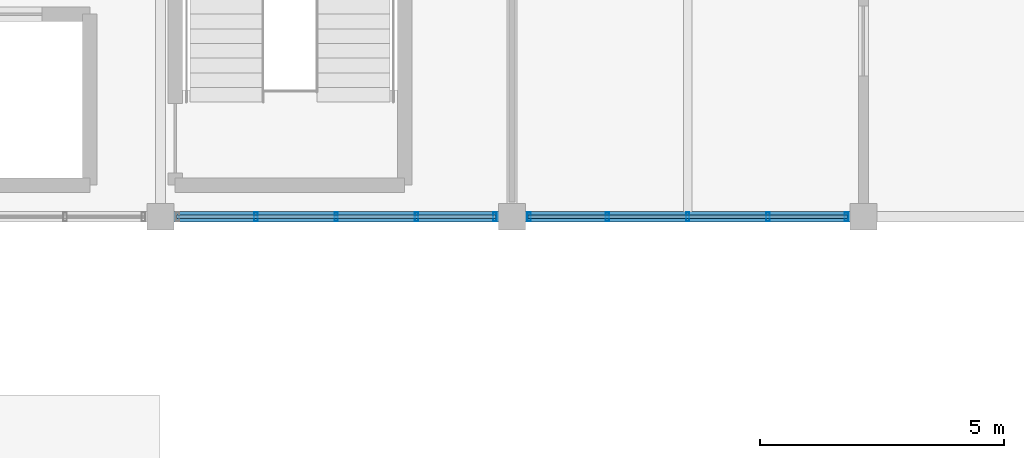
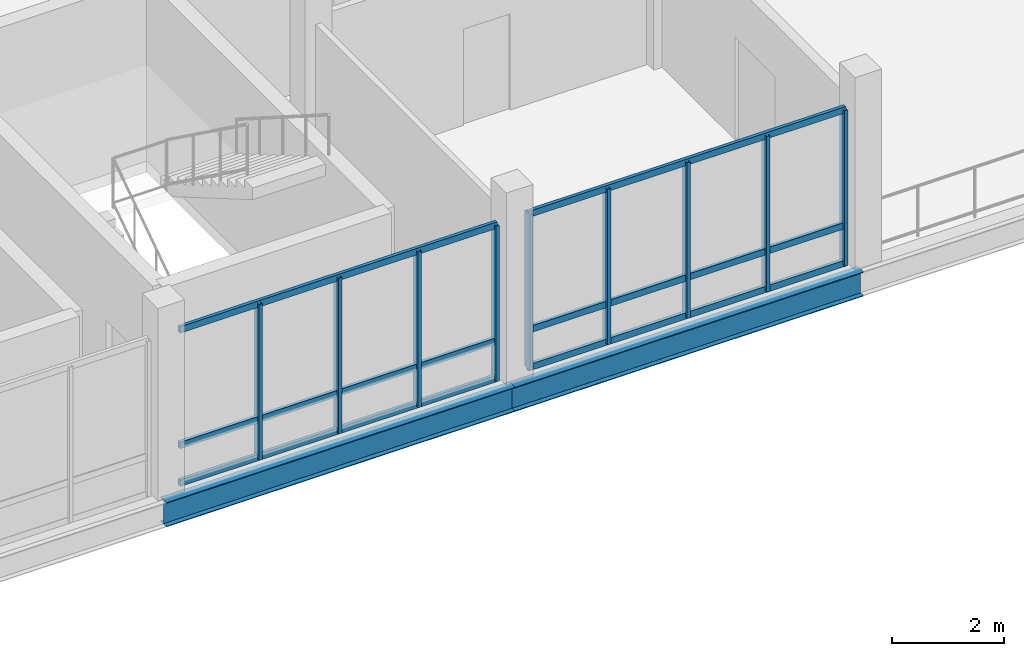
# One storey, part 22 of 47: 15 members, 2 beams, 2 elements without a shape of their own.
"""IFC4 building model written with IfcOpenShell, lengths in metres."""

from ifc_helpers import new_model, si_unit, direction, frame, origin, origin_2d, place, context, subcontext, project, spatial, hollow_rectangle, i_section, extrude, material, material_profile, profile_set, type_object, element, aggregate, save


model = new_model("IFC4")

# Units and contexts
model_context = context("Model", 3, precision=1e-05, world=origin(), true_north=direction((0.0, 1.0)))
body_context = subcontext(model_context, "Body", "Model", "MODEL_VIEW")
ifc_project = project(units=[si_unit("LENGTHUNIT", "METRE"), si_unit("AREAUNIT", "SQUARE_METRE"), si_unit("VOLUMEUNIT", "CUBIC_METRE"), si_unit("PLANEANGLEUNIT", "RADIAN"), si_unit("MASSUNIT", "GRAM", prefix="KILO")], contexts=[model_context])

# Site, building, storey
site_placement = place(None, origin())
site = spatial("IfcSite", under=ifc_project, at=site_placement, CompositionType="ELEMENT")
building_placement = place(site_placement, origin())
building = spatial("IfcBuilding", under=site, at=building_placement, Name="Yarey Park Central Fire Station", CompositionType="ELEMENT")
storey_placement = place(building_placement, frame((0.0, 0.0, 18.0)))
storey = spatial("IfcBuildingStorey", under=building, at=storey_placement, Name="L05", CompositionType="ELEMENT", Elevation=18.0)

# Curtain wall, members
ifc_material_1 = material(Name="Anodized Aluminium Frame", Category="aluminium")
curtain_wall_type = type_object("IfcCurtainWallType", Name="ENV_CW_HQ_L05", PredefinedType="NOTDEFINED", material=ifc_material_1)
curtain_wall_1_placement = place(storey_placement, origin())
curtain_wall_1 = element("IfcCurtainWall", 1, at=curtain_wall_1_placement, inside=storey, type_object=curtain_wall_type, Name="CW_L05_V4_S_4", PredefinedType="NOTDEFINED")
ifc_material_profile_1 = material_profile(ifc_material_1, hollow_rectangle(XDim=0.070068359375, YDim=0.179931640625, WallThickness=0.00390625, at=origin_2d()), Name="ALU 180x70x4")
ifc_profile_set_1 = profile_set([ifc_material_profile_1], Name="Anodized Aluminium Frame")
member_type_1 = type_object("IfcMemberType", Name="ENV_CW_MULLION", PredefinedType="MULLION", material=ifc_profile_set_1)
member_1_placement = place(storey_placement, frame((138.7548828125, 93.60009765625, 0.0), z_axis=(0.0, 0.0, 1.0), x_axis=(1.0, 0.0, 0.0)))
member_1 = element("IfcMember", 2, at=member_1_placement, type_object=member_type_1, Name="CW_L05_V4_S_4_MUL2", PredefinedType="MULLION", context=body_context, shape_type="SweptSolid", body=[
    extrude(hollow_rectangle(XDim=0.070068359375, YDim=0.179931640625, WallThickness=0.00390625, at=origin_2d()), origin(), (0.0, 0.0, 1.0), 3.39990234375),
])
member_2_placement = place(storey_placement, frame((140.39990234375, 93.60009765625, 0.0), z_axis=(0.0, 0.0, 1.0), x_axis=(1.0, 0.0, 0.0)))
member_2 = element("IfcMember", 3, at=member_2_placement, type_object=member_type_1, Name="CW_L05_V4_S_4_MUL3", PredefinedType="MULLION", context=body_context, shape_type="SweptSolid", body=[
    extrude(hollow_rectangle(XDim=0.070068359375, YDim=0.179931640625, WallThickness=0.00390625, at=origin_2d()), origin(), (0.0, 0.0, 1.0), 3.39990234375),
])
member_3_placement = place(storey_placement, frame((142.044921875, 93.60009765625, 0.0), z_axis=(0.0, 0.0, 1.0), x_axis=(1.0, 0.0, 0.0)))
member_3 = element("IfcMember", 4, at=member_3_placement, type_object=member_type_1, Name="CW_L05_V4_S_4_MUL4", PredefinedType="MULLION", context=body_context, shape_type="SweptSolid", body=[
    extrude(hollow_rectangle(XDim=0.070068359375, YDim=0.179931640625, WallThickness=0.00390625, at=origin_2d()), origin(), (0.0, 0.0, 1.0), 3.39990234375),
])
member_4_placement = place(storey_placement, frame((143.64990234375, 93.60009765625, 0.0), z_axis=(0.0, 0.0, 1.0), x_axis=(1.0, 0.0, 0.0)))
member_4 = element("IfcMember", 5, at=member_4_placement, type_object=member_type_1, Name="CW_L05_V4_S_4_MUL5", PredefinedType="MULLION", context=body_context, shape_type="SweptSolid", body=[
    extrude(hollow_rectangle(XDim=0.070068359375, YDim=0.179931640625, WallThickness=0.00390625, at=origin_2d()), origin(), (0.0, 0.0, 1.0), 3.39990234375),
])

curtain_wall_2_placement = place(storey_placement, origin())
curtain_wall_2 = element("IfcCurtainWall", 6, at=curtain_wall_2_placement, inside=storey, type_object=curtain_wall_type, Name="CW_L05_V4_S_5", PredefinedType="NOTDEFINED")
member_5_placement = place(storey_placement, frame((144.35009765625, 93.60009765625, 0.0), z_axis=(0.0, 0.0, 1.0), x_axis=(1.0, 0.0, 0.0)))
member_5 = element("IfcMember", 7, at=member_5_placement, type_object=member_type_1, Name="CW_L05_V4_S_5_MUL1", PredefinedType="MULLION", context=body_context, shape_type="SweptSolid", body=[
    extrude(hollow_rectangle(XDim=0.070068359375, YDim=0.179931640625, WallThickness=0.00390625, at=origin_2d()), origin(), (0.0, 0.0, 1.0), 3.39990234375),
])
member_6_placement = place(storey_placement, frame((145.955078125, 93.60009765625, 0.0), z_axis=(0.0, 0.0, 1.0), x_axis=(1.0, 0.0, 0.0)))
member_6 = element("IfcMember", 8, at=member_6_placement, type_object=member_type_1, Name="CW_L05_V4_S_5_MUL2", PredefinedType="MULLION", context=body_context, shape_type="SweptSolid", body=[
    extrude(hollow_rectangle(XDim=0.070068359375, YDim=0.179931640625, WallThickness=0.00390625, at=origin_2d()), origin(), (0.0, 0.0, 1.0), 3.39990234375),
])
member_7_placement = place(storey_placement, frame((147.60009765625, 93.60009765625, 0.0), z_axis=(0.0, 0.0, 1.0), x_axis=(1.0, 0.0, 0.0)))
member_7 = element("IfcMember", 9, at=member_7_placement, type_object=member_type_1, Name="CW_L05_V4_S_5_MUL3", PredefinedType="MULLION", context=body_context, shape_type="SweptSolid", body=[
    extrude(hollow_rectangle(XDim=0.070068359375, YDim=0.179931640625, WallThickness=0.00390625, at=origin_2d()), origin(), (0.0, 0.0, 1.0), 3.39990234375),
])
member_8_placement = place(storey_placement, frame((149.2451171875, 93.60009765625, 0.0), z_axis=(0.0, 0.0, 1.0), x_axis=(1.0, 0.0, 0.0)))
member_8 = element("IfcMember", 10, at=member_8_placement, type_object=member_type_1, Name="CW_L05_V4_S_5_MUL4", PredefinedType="MULLION", context=body_context, shape_type="SweptSolid", body=[
    extrude(hollow_rectangle(XDim=0.070068359375, YDim=0.179931640625, WallThickness=0.00390625, at=origin_2d()), origin(), (0.0, 0.0, 1.0), 3.39990234375),
])
member_9_placement = place(storey_placement, frame((150.85009765625, 93.60009765625, 0.0), z_axis=(0.0, 0.0, 1.0), x_axis=(1.0, 0.0, 0.0)))
member_9 = element("IfcMember", 11, at=member_9_placement, type_object=member_type_1, Name="CW_L05_V4_S_5_MUL5", PredefinedType="MULLION", context=body_context, shape_type="SweptSolid", body=[
    extrude(hollow_rectangle(XDim=0.070068359375, YDim=0.179931640625, WallThickness=0.00390625, at=origin_2d()), origin(), (0.0, 0.0, 1.0), 3.39990234375),
])

# Member
ifc_material_profile_2 = material_profile(ifc_material_1, hollow_rectangle(XDim=0.070068359375, YDim=0.139892578125, WallThickness=0.00390625, at=origin_2d()), Name="ALU 140x70x4")
ifc_profile_set_2 = profile_set([ifc_material_profile_2], Name="Anodized Aluminium Frame")
member_type_2 = type_object("IfcMemberType", Name="ENV_CW_TRANSOM", PredefinedType="USERDEFINED", material=ifc_profile_set_2)
member_10_placement = place(storey_placement, frame((137.125, 93.60009765625, 0.02490234375), z_axis=(1.0, 0.0, 0.0), x_axis=(0.0, 1.0, 0.0)))
member_10 = element("IfcMember", 12, at=member_10_placement, type_object=member_type_2, Name="CW_L05_V4_S_4_TRN1", ObjectType="TRANSOM", PredefinedType="USERDEFINED", context=body_context, shape_type="SweptSolid", body=[
    extrude(hollow_rectangle(XDim=0.070068359375, YDim=0.139892578125, WallThickness=0.00390625, at=origin_2d()), origin(), (0.0, 0.0, 1.0), 6.550048828125),
])

member_11_placement = place(storey_placement, frame((137.125, 93.60009765625, 0.85009765625), z_axis=(1.0, 0.0, 0.0), x_axis=(0.0, 1.0, 0.0)))
member_11 = element("IfcMember", 13, at=member_11_placement, type_object=member_type_2, Name="CW_L05_V4_S_4_TRN2", ObjectType="TRANSOM", PredefinedType="USERDEFINED", context=body_context, shape_type="SweptSolid", body=[
    extrude(hollow_rectangle(XDim=0.070068359375, YDim=0.139892578125, WallThickness=0.00390625, at=origin_2d()), origin(), (0.0, 0.0, 1.0), 6.550048828125),
])

member_12_placement = place(storey_placement, frame((137.125, 93.60009765625, 3.375), z_axis=(1.0, 0.0, 0.0), x_axis=(0.0, 1.0, 0.0)))
member_12 = element("IfcMember", 14, at=member_12_placement, type_object=member_type_2, Name="CW_L05_V4_S_4_TRN3", ObjectType="TRANSOM", PredefinedType="USERDEFINED", context=body_context, shape_type="SweptSolid", body=[
    extrude(hollow_rectangle(XDim=0.070068359375, YDim=0.139892578125, WallThickness=0.00390625, at=origin_2d()), origin(), (0.0, 0.0, 1.0), 6.550048828125),
])

aggregate(curtain_wall_1, [member_1, member_2, member_3, member_4, member_10, member_11, member_12])

member_13_placement = place(storey_placement, frame((144.324951171875, 93.60009765625, 0.02490234375), z_axis=(1.0, 0.0, 0.0), x_axis=(0.0, 1.0, 0.0)))
member_13 = element("IfcMember", 15, at=member_13_placement, type_object=member_type_2, Name="CW_L05_V4_S_5_TRN1", ObjectType="TRANSOM", PredefinedType="USERDEFINED", context=body_context, shape_type="SweptSolid", body=[
    extrude(hollow_rectangle(XDim=0.070068359375, YDim=0.139892578125, WallThickness=0.00390625, at=origin_2d()), origin(), (0.0, 0.0, 1.0), 6.550048828125),
])

member_14_placement = place(storey_placement, frame((144.324951171875, 93.60009765625, 0.85009765625), z_axis=(1.0, 0.0, 0.0), x_axis=(0.0, 1.0, 0.0)))
member_14 = element("IfcMember", 16, at=member_14_placement, type_object=member_type_2, Name="CW_L05_V4_S_5_TRN2", ObjectType="TRANSOM", PredefinedType="USERDEFINED", context=body_context, shape_type="SweptSolid", body=[
    extrude(hollow_rectangle(XDim=0.070068359375, YDim=0.139892578125, WallThickness=0.00390625, at=origin_2d()), origin(), (0.0, 0.0, 1.0), 6.550048828125),
])

member_15_placement = place(storey_placement, frame((144.324951171875, 93.60009765625, 3.375), z_axis=(1.0, 0.0, 0.0), x_axis=(0.0, 1.0, 0.0)))
member_15 = element("IfcMember", 17, at=member_15_placement, type_object=member_type_2, Name="CW_L05_V4_S_5_TRN3", ObjectType="TRANSOM", PredefinedType="USERDEFINED", context=body_context, shape_type="SweptSolid", body=[
    extrude(hollow_rectangle(XDim=0.070068359375, YDim=0.139892578125, WallThickness=0.00390625, at=origin_2d()), origin(), (0.0, 0.0, 1.0), 6.550048828125),
])

aggregate(curtain_wall_2, [member_5, member_6, member_7, member_8, member_9, member_13, member_14, member_15])

# Beams
ifc_material_2 = material(Name="Steel ASTM A992 Gr. 50", Category="steel")
ifc_material_profile_3 = material_profile(ifc_material_2, i_section(OverallWidth=0.208984375, OverallDepth=0.532958984375, WebThickness=0.01025390625, FlangeThickness=0.015625, at=origin_2d()), Name="W530x92")
ifc_profile_set_3 = profile_set([ifc_material_profile_3], Name="Steel ASTM A992 Gr. 50")
beam_type = type_object("IfcBeamType", Name="STR_BM_W530", PredefinedType="BEAM", material=ifc_profile_set_3)
for number, where, z_axis, x_axis, name in (
    (18, (136.800048828125, 93.60009765625, -0.506591796875), (1.0, 0.0, 0.0), (0.0, 1.0, 0.0), "BMX L05 Y936 X1368"),
    (19, (144.0, 93.60009765625, -0.506591796875), (1.0, 0.0, 0.0), (0.0, 1.0, 0.0), "BMX L05 Y936 X1440"),
):
    element("IfcBeam", number, at=place(storey_placement, frame(where, z_axis=z_axis, x_axis=x_axis)), inside=storey, type_object=beam_type, Name=name, PredefinedType="BEAM", context=body_context, shape_type="SweptSolid", body=[
        extrude(i_section(OverallWidth=0.208984375, OverallDepth=0.532958984375, WebThickness=0.01025390625, FlangeThickness=0.015625, at=origin_2d()), origin(), (0.0, 0.0, 1.0), 7.199951171875),
    ])

save(model, "model.ifc")
